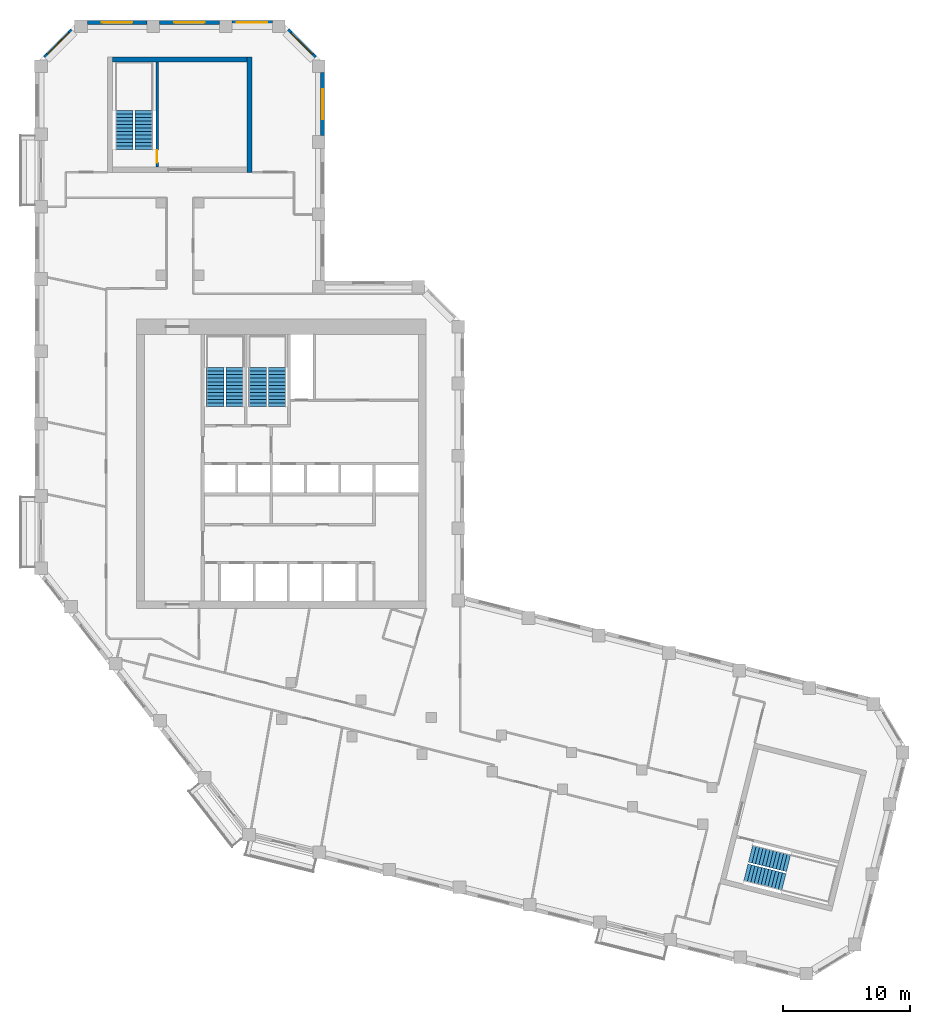
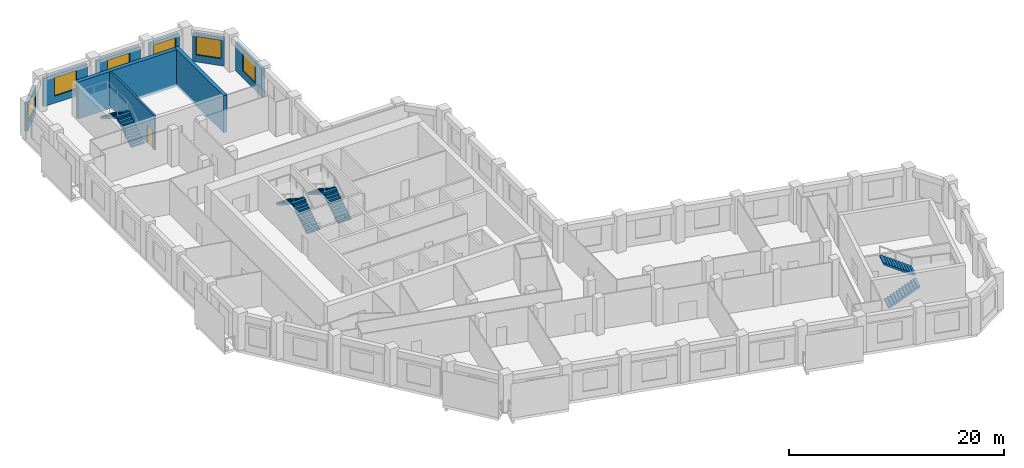
# One storey, part 8 of 9: 9 walls, 8 stair flights, 6 windows, 1 door, 7 openings, 4 elements without a shape of their own.
"""IFC4 building model written with IfcOpenShell, lengths in metres."""

from ifc_helpers import new_model, si_unit, direction, frame, frame_2d, origin, place, context, subcontext, project, spatial, polyline, rectangle, outline, extrude, material, layer, layer_set, type_object, element, fill, aggregate, save


model = new_model("IFC4")

# Units and contexts
model_context = context("Model", 3, precision=1e-05, world=origin(), true_north=direction((0.0, 1.0)))
body_context = subcontext(model_context, "Body", "Model", "MODEL_VIEW")
ifc_project = project(units=[si_unit("LENGTHUNIT", "METRE"), si_unit("AREAUNIT", "SQUARE_METRE"), si_unit("VOLUMEUNIT", "CUBIC_METRE"), si_unit("PLANEANGLEUNIT", "RADIAN"), si_unit("MASSUNIT", "GRAM", prefix="KILO")], contexts=[model_context])

# Site, building, storey
site_placement = place(None, origin())
site = spatial("IfcSite", under=ifc_project, at=site_placement, CompositionType="ELEMENT")
building_placement = place(site_placement, origin())
building = spatial("IfcBuilding", under=site, at=building_placement, Name="Meshkara Civic Tower", CompositionType="ELEMENT")
storey_placement = place(building_placement, frame((0.0, 0.0, 298.199951171875)))
storey = spatial("IfcBuildingStorey", under=building, at=storey_placement, Name="L68", CompositionType="ELEMENT", Elevation=298.199951171875)

# Wall, opening, window
ifc_material_1 = material(Name="Insulated infill panel with bronze anodised aluminium cladding", Category="aluminium")
ifc_layer_1 = layer(ifc_material_1, 0.300048828125)
ifc_layer_set_1 = layer_set([ifc_layer_1], Name="EXTERNAL INFILL WALL 300")
wall_type_1 = type_object("IfcWallType", Name="EXTERNAL INFILL WALL 300", PredefinedType="SOLIDWALL", material=ifc_layer_set_1)
wall_1_placement = place(storey_placement, frame((22.64990234375, 51.35009765625, 0.0), z_axis=(0.0, 0.0, 1.0), x_axis=(0.0, 1.0, 0.0)))
wall_1 = element("IfcWall", 1, at=wall_1_placement, inside=storey, type_object=wall_type_1, Name="External wall", PredefinedType="SOLIDWALL", context=body_context, shape_type="SweptSolid", body=[
    extrude(rectangle(XDim=4.9638671875, YDim=0.300048828125, at=frame_2d((2.48193359375, 0.0))), origin(), (0.0, 0.0, 1.0), 3.199951171875),
])
opening_1_placement = place(wall_1_placement, frame((1.281982421875, 0.0, 0.800048828125)))
opening_1 = element("IfcOpeningElement", 2, at=opening_1_placement, cuts=wall_1, Name="Opening W7", PredefinedType="OPENING", context=body_context, shape_type="SweptSolid", body=[
    extrude(rectangle(XDim=2.39990234375, YDim=2.10009765625, at=frame_2d((1.199951171875, 1.050048828125))), frame((0.0, 0.159912109375, 0.0), z_axis=(0.0, -1.0, 0.0), x_axis=(1.0, 0.0, 0.0)), (0.0, 0.0, 1.0), 0.320068359375),
])
ifc_material_2 = material(Name="Tinted double glazing", Category="glass")
window_type = type_object("IfcWindowType", Name="WINDOW 2400x2100", PartitioningType="DOUBLE_PANEL_VERTICAL", PredefinedType="WINDOW", material=ifc_material_2)
window_1_placement = place(opening_1_placement, origin())
window_1 = element("IfcWindow", 3, at=window_1_placement, inside=storey, type_object=window_type, Name="Window", OverallHeight=2.10009765625, OverallWidth=2.39990234375, PartitioningType="DOUBLE_PANEL_VERTICAL", PredefinedType="WINDOW", context=body_context, shape_type="SweptSolid", body=[
    extrude(rectangle(XDim=2.39990234375, YDim=2.10009765625, at=frame_2d((1.199951171875, 1.050048828125))), frame((0.0, 0.030029296875, 0.0), z_axis=(0.0, -1.0, 0.0), x_axis=(1.0, 0.0, 0.0)), (0.0, 0.0, 1.0), 0.06005859375),
])
fill(opening_1, window_1)

wall_2_placement = place(storey_placement, frame((22.06201171875, 57.52587890625, 0.0), z_axis=(0.0, 0.0, 1.0), x_axis=(-0.707106781187, 0.707106781187, 0.0)))
wall_2 = element("IfcWall", 4, at=wall_2_placement, inside=storey, type_object=wall_type_1, Name="External wall", PredefinedType="SOLIDWALL", context=body_context, shape_type="SweptSolid", body=[
    extrude(rectangle(XDim=3.049072265625, YDim=0.300048828125, at=frame_2d((1.5244140625, 0.0))), origin(), (0.0, 0.0, 1.0), 3.199951171875),
])
opening_2_placement = place(wall_2_placement, frame((0.324951171875, 0.0, 0.800048828125)))
opening_2 = element("IfcOpeningElement", 5, at=opening_2_placement, cuts=wall_2, Name="Opening W7", PredefinedType="OPENING", context=body_context, shape_type="SweptSolid", body=[
    extrude(rectangle(XDim=2.39990234375, YDim=2.10009765625, at=frame_2d((1.199951171875, 1.050048828125))), frame((0.0, 0.159912109375, 0.0), z_axis=(0.0, -1.0, 0.0), x_axis=(1.0, 0.0, 0.0)), (0.0, 0.0, 1.0), 0.320068359375),
])
window_2_placement = place(opening_2_placement, origin())
window_2 = element("IfcWindow", 6, at=window_2_placement, inside=storey, type_object=window_type, Name="Window", OverallHeight=2.10009765625, OverallWidth=2.39990234375, PartitioningType="DOUBLE_PANEL_VERTICAL", PredefinedType="WINDOW", context=body_context, shape_type="SweptSolid", body=[
    extrude(rectangle(XDim=2.39990234375, YDim=2.10009765625, at=frame_2d((1.199951171875, 1.050048828125))), frame((0.0, 0.030029296875, 0.0), z_axis=(0.0, -1.0, 0.0), x_axis=(1.0, 0.0, 0.0)), (0.0, 0.0, 1.0), 0.06005859375),
])
fill(opening_2, window_2)

wall_3_placement = place(storey_placement, frame((18.694091796875, 60.27001953125, 0.0), z_axis=(0.0, 0.0, 1.0), x_axis=(-1.0, 0.0, 0.0)))
wall_3 = element("IfcWall", 7, at=wall_3_placement, inside=storey, type_object=wall_type_1, Name="External wall", PredefinedType="SOLIDWALL", context=body_context, shape_type="SweptSolid", body=[
    extrude(rectangle(XDim=3.18798828125, YDim=0.300048828125, at=frame_2d((1.593994140625, 0.0))), origin(), (0.0, 0.0, 1.0), 3.199951171875),
])
opening_3_placement = place(wall_3_placement, frame((0.39404296875, 0.0, 0.800048828125)))
opening_3 = element("IfcOpeningElement", 8, at=opening_3_placement, cuts=wall_3, Name="Opening W7", PredefinedType="OPENING", context=body_context, shape_type="SweptSolid", body=[
    extrude(rectangle(XDim=2.39990234375, YDim=2.10009765625, at=frame_2d((1.199951171875, 1.050048828125))), frame((0.0, 0.159912109375, 0.0), z_axis=(0.0, -1.0, 0.0), x_axis=(1.0, 0.0, 0.0)), (0.0, 0.0, 1.0), 0.320068359375),
])
window_3_placement = place(opening_3_placement, origin())
window_3 = element("IfcWindow", 9, at=window_3_placement, inside=storey, type_object=window_type, Name="Window", OverallHeight=2.10009765625, OverallWidth=2.39990234375, PartitioningType="DOUBLE_PANEL_VERTICAL", PredefinedType="WINDOW", context=body_context, shape_type="SweptSolid", body=[
    extrude(rectangle(XDim=2.39990234375, YDim=2.10009765625, at=frame_2d((1.199951171875, 1.050048828125))), frame((0.0, 0.030029296875, 0.0), z_axis=(0.0, -1.0, 0.0), x_axis=(1.0, 0.0, 0.0)), (0.0, 0.0, 1.0), 0.06005859375),
])
fill(opening_3, window_3)

wall_4_placement = place(storey_placement, frame((14.506103515625, 60.27001953125, 0.0), z_axis=(0.0, 0.0, 1.0), x_axis=(-1.0, 0.0, 0.0)))
wall_4 = element("IfcWall", 10, at=wall_4_placement, inside=storey, type_object=wall_type_1, Name="External wall", PredefinedType="SOLIDWALL", context=body_context, shape_type="SweptSolid", body=[
    extrude(rectangle(XDim=4.7001953125, YDim=0.300048828125, at=frame_2d((2.35009765625, 0.0))), origin(), (0.0, 0.0, 1.0), 3.199951171875),
])
opening_4_placement = place(wall_4_placement, frame((1.14990234375, 0.0, 0.800048828125)))
opening_4 = element("IfcOpeningElement", 11, at=opening_4_placement, cuts=wall_4, Name="Opening W7", PredefinedType="OPENING", context=body_context, shape_type="SweptSolid", body=[
    extrude(rectangle(XDim=2.39990234375, YDim=2.10009765625, at=frame_2d((1.199951171875, 1.050048828125))), frame((0.0, 0.159912109375, 0.0), z_axis=(0.0, -1.0, 0.0), x_axis=(1.0, 0.0, 0.0)), (0.0, 0.0, 1.0), 0.320068359375),
])
window_4_placement = place(opening_4_placement, origin())
window_4 = element("IfcWindow", 12, at=window_4_placement, inside=storey, type_object=window_type, Name="Window", OverallHeight=2.10009765625, OverallWidth=2.39990234375, PartitioningType="DOUBLE_PANEL_VERTICAL", PredefinedType="WINDOW", context=body_context, shape_type="SweptSolid", body=[
    extrude(rectangle(XDim=2.39990234375, YDim=2.10009765625, at=frame_2d((1.199951171875, 1.050048828125))), frame((0.0, 0.030029296875, 0.0), z_axis=(0.0, -1.0, 0.0), x_axis=(1.0, 0.0, 0.0)), (0.0, 0.0, 1.0), 0.06005859375),
])
fill(opening_4, window_4)

wall_5_placement = place(storey_placement, frame((8.805908203125, 60.27001953125, 0.0), z_axis=(0.0, 0.0, 1.0), x_axis=(-1.0, 0.0, 0.0)))
wall_5 = element("IfcWall", 13, at=wall_5_placement, inside=storey, type_object=wall_type_1, Name="External wall", PredefinedType="SOLIDWALL", context=body_context, shape_type="SweptSolid", body=[
    extrude(rectangle(XDim=4.699951171875, YDim=0.300048828125, at=frame_2d((2.35009765625, 0.0))), origin(), (0.0, 0.0, 1.0), 3.199951171875),
])
opening_5_placement = place(wall_5_placement, frame((1.14990234375, 0.0, 0.800048828125)))
opening_5 = element("IfcOpeningElement", 14, at=opening_5_placement, cuts=wall_5, Name="Opening W7", PredefinedType="OPENING", context=body_context, shape_type="SweptSolid", body=[
    extrude(rectangle(XDim=2.39990234375, YDim=2.10009765625, at=frame_2d((1.199951171875, 1.050048828125))), frame((0.0, 0.159912109375, 0.0), z_axis=(0.0, -1.0, 0.0), x_axis=(1.0, 0.0, 0.0)), (0.0, 0.0, 1.0), 0.320068359375),
])
window_5_placement = place(opening_5_placement, origin())
window_5 = element("IfcWindow", 15, at=window_5_placement, inside=storey, type_object=window_type, Name="Window", OverallHeight=2.10009765625, OverallWidth=2.39990234375, PartitioningType="DOUBLE_PANEL_VERTICAL", PredefinedType="WINDOW", context=body_context, shape_type="SweptSolid", body=[
    extrude(rectangle(XDim=2.39990234375, YDim=2.10009765625, at=frame_2d((1.199951171875, 1.050048828125))), frame((0.0, 0.030029296875, 0.0), z_axis=(0.0, -1.0, 0.0), x_axis=(1.0, 0.0, 0.0)), (0.0, 0.0, 1.0), 0.06005859375),
])
fill(opening_5, window_5)

wall_6_placement = place(storey_placement, frame((2.89404296875, 59.681884765625, 0.0), z_axis=(0.0, 0.0, 1.0), x_axis=(-0.707106781187, -0.707106781187, 0.0)))
wall_6 = element("IfcWall", 16, at=wall_6_placement, inside=storey, type_object=wall_type_1, Name="External wall", PredefinedType="SOLIDWALL", context=body_context, shape_type="SweptSolid", body=[
    extrude(rectangle(XDim=3.049072265625, YDim=0.300048828125, at=frame_2d((1.5244140625, 0.0))), origin(), (0.0, 0.0, 1.0), 3.199951171875),
])
opening_6_placement = place(wall_6_placement, frame((0.324951171875, 0.0, 0.800048828125)))
opening_6 = element("IfcOpeningElement", 17, at=opening_6_placement, cuts=wall_6, Name="Opening W7", PredefinedType="OPENING", context=body_context, shape_type="SweptSolid", body=[
    extrude(rectangle(XDim=2.39990234375, YDim=2.10009765625, at=frame_2d((1.199951171875, 1.050048828125))), frame((0.0, 0.159912109375, 0.0), z_axis=(0.0, -1.0, 0.0), x_axis=(1.0, 0.0, 0.0)), (0.0, 0.0, 1.0), 0.320068359375),
])
window_6_placement = place(opening_6_placement, origin())
window_6 = element("IfcWindow", 18, at=window_6_placement, inside=storey, type_object=window_type, Name="Window", OverallHeight=2.10009765625, OverallWidth=2.39990234375, PartitioningType="DOUBLE_PANEL_VERTICAL", PredefinedType="WINDOW", context=body_context, shape_type="SweptSolid", body=[
    extrude(rectangle(XDim=2.39990234375, YDim=2.10009765625, at=frame_2d((1.199951171875, 1.050048828125))), frame((0.0, 0.030029296875, 0.0), z_axis=(0.0, -1.0, 0.0), x_axis=(1.0, 0.0, 0.0)), (0.0, 0.0, 1.0), 0.06005859375),
])
fill(opening_6, window_6)

# Walls
ifc_material_3 = material(Name="Concrete C60", Category="concrete")
ifc_layer_2 = layer(ifc_material_3, 0.39990234375)
ifc_layer_set_2 = layer_set([ifc_layer_2], Name="End core ring wall 400 C60")
wall_type_2 = type_object("IfcWallType", Name="End core ring wall 400 C60", PredefinedType="SHEAR", material=ifc_layer_set_2)
wall_7_placement = place(storey_placement, frame((16.89990234375, 48.469970703125, -0.300048828125), z_axis=(0.0, 0.0, 1.0), x_axis=(0.0, 1.0, 0.0)))
element("IfcWall", 19, at=wall_7_placement, inside=storey, type_object=wall_type_2, Name="L68-C027", PredefinedType="SHEAR", context=body_context, shape_type="SweptSolid", body=[
    extrude(rectangle(XDim=9.10009765625, YDim=0.39990234375, at=frame_2d((4.550048828125, 0.0))), origin(), (0.0, 0.0, 1.0), 4.2001953125),
])
wall_8_placement = place(storey_placement, frame((6.10009765625, 57.3701171875, -0.300048828125), z_axis=(0.0, 0.0, 1.0), x_axis=(1.0, 0.0, 0.0)))
element("IfcWall", 20, at=wall_8_placement, inside=storey, type_object=wall_type_2, Name="L68-C029", PredefinedType="SHEAR", context=body_context, shape_type="SweptSolid", body=[
    extrude(rectangle(XDim=10.599853515625, YDim=0.39990234375, at=frame_2d((5.2998046875, 0.0))), origin(), (0.0, 0.0, 1.0), 4.2001953125),
])

# Wall, opening, door
ifc_material_4 = material(Name="Concrete C40/50", Category="concrete")
ifc_layer_3 = layer(ifc_material_4, 0.199951171875)
ifc_layer_set_3 = layer_set([ifc_layer_3], Name="Stair enclosure wall 200 C40/50")
wall_type_3 = type_object("IfcWallType", Name="Stair enclosure wall 200 C40/50", PredefinedType="SOLIDWALL", material=ifc_layer_set_3)
wall_9_placement = place(storey_placement, frame((9.60009765625, 48.8701171875, 0.0), z_axis=(0.0, 0.0, 1.0), x_axis=(0.0, 1.0, 0.0)))
wall_9 = element("IfcWall", 21, at=wall_9_placement, inside=storey, type_object=wall_type_3, Name="L68-C030", PredefinedType="SOLIDWALL", context=body_context, shape_type="SweptSolid", body=[
    extrude(rectangle(XDim=8.2998046875, YDim=0.199951171875, at=frame_2d((4.14990234375, 0.0))), origin(), (0.0, 0.0, 1.0), 3.900146484375),
])
opening_7_placement = place(wall_9_placement, frame((0.35009765625, 0.0, 0.0)))
opening_7 = element("IfcOpeningElement", 22, at=opening_7_placement, cuts=wall_9, Name="Opening L68-K101", PredefinedType="OPENING", context=body_context, shape_type="SweptSolid", body=[
    extrude(rectangle(XDim=1.0, YDim=2.10009765625, at=frame_2d((0.5, 1.050048828125))), frame((0.0, 0.10986328125, 0.0), z_axis=(0.0, -1.0, 0.0), x_axis=(1.0, 0.0, 0.0)), (0.0, 0.0, 1.0), 0.219970703125),
])
ifc_material_5 = material(Name="Fire-rated door leaf in steel frame", Category="steel")
door_type = type_object("IfcDoorType", Name="Stair door 1000 EI 120", OperationType="SINGLE_SWING_LEFT", PredefinedType="DOOR", material=ifc_material_5)
door_placement = place(opening_7_placement, origin())
door = element("IfcDoor", 23, at=door_placement, inside=storey, type_object=door_type, Name="L68-K101", OperationType="SINGLE_SWING_RIGHT", OverallHeight=2.10009765625, OverallWidth=1.0, PredefinedType="DOOR", context=body_context, shape_type="SweptSolid", body=[
    extrude(rectangle(XDim=1.0, YDim=2.10009765625, at=frame_2d((0.5, 1.050048828125))), frame((0.0, 0.02490234375, 0.0), z_axis=(0.0, -1.0, 0.0), x_axis=(1.0, 0.0, 0.0)), (0.0, 0.0, 1.0), 0.050048828125),
])
fill(opening_7, door)

# Stair, stair flights
ifc_material_6 = material(Name="Precast concrete C40/50", Category="concrete")
stair_type = type_object("IfcStairType", Name="Exit stair half-turn 24 risers precast", PredefinedType="HALF_TURN_STAIR", material=ifc_material_6)
stair_1_placement = place(storey_placement, origin())
stair_1 = element("IfcStair", 24, at=stair_1_placement, inside=storey, type_object=stair_type, Name="L68 exit stair 1", PredefinedType="HALF_TURN_STAIR")
ifc_material_7 = material(Name="Precast concrete C40/50", Category="concrete")
stair_flight_type = type_object("IfcStairFlightType", Name="Exit stair flight 12 risers precast", PredefinedType="STRAIGHT", material=ifc_material_7)
stair_flight_1_placement = place(storey_placement, frame((15.72509765625, 30.0, 0.0), z_axis=(0.0, 0.0, 1.0), x_axis=(0.0, 1.0, 0.0)))
stair_flight_1 = element("IfcStairFlight", 25, at=stair_flight_1_placement, type_object=stair_flight_type, Name="ST1 flight 1", NumberOfRisers=12, NumberOfTreads=11, PredefinedType="STRAIGHT", RiserHeight=0.175, TreadLength=0.28, context=body_context, shape_type="SweptSolid", body=[
    extrude(outline(polyline([(0.0, 0.0), (0.0, 0.175048828125), (0.280029296875, 0.175048828125), (0.280029296875, 0.35009765625), (0.56005859375, 0.35009765625), (0.56005859375, 0.52490234375), (0.840087890625, 0.52490234375), (0.840087890625, 0.699951171875), (1.1201171875, 0.699951171875), (1.1201171875, 0.875), (1.39990234375, 0.875), (1.39990234375, 1.050048828125), (1.679931640625, 1.050048828125), (1.679931640625, 1.22509765625), (1.9599609375, 1.22509765625), (1.9599609375, 1.39990234375), (2.239990234375, 1.39990234375), (2.239990234375, 1.574951171875), (2.52001953125, 1.574951171875), (2.52001953125, 1.75), (2.800048828125, 1.75), (2.800048828125, 1.925048828125), (3.080078125, 1.925048828125), (3.080078125, 2.10009765625), (3.080078125, 1.748291015625), (0.28271484375, 0.0), (0.0, 0.0)])), frame((0.0, 0.699951171875, 0.0), z_axis=(0.0, -1.0, 0.0), x_axis=(1.0, 0.0, 0.0)), (0.0, 0.0, 1.0), 1.39990234375),
])
stair_flight_2_placement = place(storey_placement, frame((14.175048828125, 33.080078125, 2.10009765625), z_axis=(0.0, 0.0, 1.0), x_axis=(0.0, -1.0, 0.0)))
stair_flight_2 = element("IfcStairFlight", 26, at=stair_flight_2_placement, type_object=stair_flight_type, Name="ST1 flight 2", NumberOfRisers=12, NumberOfTreads=11, PredefinedType="STRAIGHT", RiserHeight=0.175, TreadLength=0.28, context=body_context, shape_type="SweptSolid", body=[
    extrude(outline(polyline([(0.0, 0.0), (0.0, 0.175048828125), (0.280029296875, 0.175048828125), (0.280029296875, 0.35009765625), (0.56005859375, 0.35009765625), (0.56005859375, 0.52490234375), (0.840087890625, 0.52490234375), (0.840087890625, 0.699951171875), (1.1201171875, 0.699951171875), (1.1201171875, 0.875), (1.39990234375, 0.875), (1.39990234375, 1.050048828125), (1.679931640625, 1.050048828125), (1.679931640625, 1.22509765625), (1.9599609375, 1.22509765625), (1.9599609375, 1.39990234375), (2.239990234375, 1.39990234375), (2.239990234375, 1.574951171875), (2.52001953125, 1.574951171875), (2.52001953125, 1.75), (2.800048828125, 1.75), (2.800048828125, 1.925048828125), (3.080078125, 1.925048828125), (3.080078125, 2.10009765625), (3.080078125, 1.748291015625), (0.28271484375, 0.0), (0.0, 0.0)])), frame((0.0, 0.699951171875, 0.0), z_axis=(0.0, -1.0, 0.0), x_axis=(1.0, 0.0, 0.0)), (0.0, 0.0, 1.0), 1.39990234375),
])
aggregate(stair_1, [stair_flight_1, stair_flight_2])

stair_2_placement = place(storey_placement, origin())
stair_2 = element("IfcStair", 27, at=stair_2_placement, inside=storey, type_object=stair_type, Name="L68 exit stair 2", PredefinedType="HALF_TURN_STAIR")
stair_flight_3_placement = place(storey_placement, frame((19.074951171875, 30.0, 0.0), z_axis=(0.0, 0.0, 1.0), x_axis=(0.0, 1.0, 0.0)))
stair_flight_3 = element("IfcStairFlight", 28, at=stair_flight_3_placement, type_object=stair_flight_type, Name="ST2 flight 1", NumberOfRisers=12, NumberOfTreads=11, PredefinedType="STRAIGHT", RiserHeight=0.175, TreadLength=0.28, context=body_context, shape_type="SweptSolid", body=[
    extrude(outline(polyline([(0.0, 0.0), (0.0, 0.175048828125), (0.280029296875, 0.175048828125), (0.280029296875, 0.35009765625), (0.56005859375, 0.35009765625), (0.56005859375, 0.52490234375), (0.840087890625, 0.52490234375), (0.840087890625, 0.699951171875), (1.1201171875, 0.699951171875), (1.1201171875, 0.875), (1.39990234375, 0.875), (1.39990234375, 1.050048828125), (1.679931640625, 1.050048828125), (1.679931640625, 1.22509765625), (1.9599609375, 1.22509765625), (1.9599609375, 1.39990234375), (2.239990234375, 1.39990234375), (2.239990234375, 1.574951171875), (2.52001953125, 1.574951171875), (2.52001953125, 1.75), (2.800048828125, 1.75), (2.800048828125, 1.925048828125), (3.080078125, 1.925048828125), (3.080078125, 2.10009765625), (3.080078125, 1.748291015625), (0.28271484375, 0.0), (0.0, 0.0)])), frame((0.0, 0.699951171875, 0.0), z_axis=(0.0, -1.0, 0.0), x_axis=(1.0, 0.0, 0.0)), (0.0, 0.0, 1.0), 1.39990234375),
])
stair_flight_4_placement = place(storey_placement, frame((17.52490234375, 33.080078125, 2.10009765625), z_axis=(0.0, 0.0, 1.0), x_axis=(0.0, -1.0, 0.0)))
stair_flight_4 = element("IfcStairFlight", 29, at=stair_flight_4_placement, type_object=stair_flight_type, Name="ST2 flight 2", NumberOfRisers=12, NumberOfTreads=11, PredefinedType="STRAIGHT", RiserHeight=0.175, TreadLength=0.28, context=body_context, shape_type="SweptSolid", body=[
    extrude(outline(polyline([(0.0, 0.0), (0.0, 0.175048828125), (0.280029296875, 0.175048828125), (0.280029296875, 0.35009765625), (0.56005859375, 0.35009765625), (0.56005859375, 0.52490234375), (0.840087890625, 0.52490234375), (0.840087890625, 0.699951171875), (1.1201171875, 0.699951171875), (1.1201171875, 0.875), (1.39990234375, 0.875), (1.39990234375, 1.050048828125), (1.679931640625, 1.050048828125), (1.679931640625, 1.22509765625), (1.9599609375, 1.22509765625), (1.9599609375, 1.39990234375), (2.239990234375, 1.39990234375), (2.239990234375, 1.574951171875), (2.52001953125, 1.574951171875), (2.52001953125, 1.75), (2.800048828125, 1.75), (2.800048828125, 1.925048828125), (3.080078125, 1.925048828125), (3.080078125, 2.10009765625), (3.080078125, 1.748291015625), (0.28271484375, 0.0), (0.0, 0.0)])), frame((0.0, 0.699951171875, 0.0), z_axis=(0.0, -1.0, 0.0), x_axis=(1.0, 0.0, 0.0)), (0.0, 0.0, 1.0), 1.39990234375),
])
aggregate(stair_2, [stair_flight_3, stair_flight_4])

stair_3_placement = place(storey_placement, origin())
stair_3 = element("IfcStair", 30, at=stair_3_placement, inside=storey, type_object=stair_type, Name="L68 exit stair A from L65", PredefinedType="HALF_TURN_STAIR")
stair_flight_5_placement = place(storey_placement, frame((8.574951171875, 50.27001953125, 0.0), z_axis=(0.0, 0.0, 1.0), x_axis=(0.0, 1.0, 0.0)))
stair_flight_5 = element("IfcStairFlight", 31, at=stair_flight_5_placement, type_object=stair_flight_type, Name="ESA5 flight 1", NumberOfRisers=12, NumberOfTreads=11, PredefinedType="STRAIGHT", RiserHeight=0.175, TreadLength=0.28, context=body_context, shape_type="SweptSolid", body=[
    extrude(outline(polyline([(0.0, 0.0), (0.0, 0.175048828125), (0.280029296875, 0.175048828125), (0.280029296875, 0.35009765625), (0.56005859375, 0.35009765625), (0.56005859375, 0.52490234375), (0.840087890625, 0.52490234375), (0.840087890625, 0.699951171875), (1.1201171875, 0.699951171875), (1.1201171875, 0.875), (1.39990234375, 0.875), (1.39990234375, 1.050048828125), (1.679931640625, 1.050048828125), (1.679931640625, 1.22509765625), (1.9599609375, 1.22509765625), (1.9599609375, 1.39990234375), (2.239990234375, 1.39990234375), (2.239990234375, 1.574951171875), (2.52001953125, 1.574951171875), (2.52001953125, 1.75), (2.800048828125, 1.75), (2.800048828125, 1.925048828125), (3.080078125, 1.925048828125), (3.080078125, 2.10009765625), (3.080078125, 1.748291015625), (0.28271484375, 0.0), (0.0, 0.0)])), frame((0.0, 0.699951171875, 0.0), z_axis=(0.0, -1.0, 0.0), x_axis=(1.0, 0.0, 0.0)), (0.0, 0.0, 1.0), 1.39990234375),
])
stair_flight_6_placement = place(storey_placement, frame((7.02490234375, 53.35009765625, 2.10009765625), z_axis=(0.0, 0.0, 1.0), x_axis=(0.0, -1.0, 0.0)))
stair_flight_6 = element("IfcStairFlight", 32, at=stair_flight_6_placement, type_object=stair_flight_type, Name="ESA5 flight 2", NumberOfRisers=12, NumberOfTreads=11, PredefinedType="STRAIGHT", RiserHeight=0.175, TreadLength=0.28, context=body_context, shape_type="SweptSolid", body=[
    extrude(outline(polyline([(0.0, 0.0), (0.0, 0.175048828125), (0.280029296875, 0.175048828125), (0.280029296875, 0.35009765625), (0.56005859375, 0.35009765625), (0.56005859375, 0.52490234375), (0.840087890625, 0.52490234375), (0.840087890625, 0.699951171875), (1.1201171875, 0.699951171875), (1.1201171875, 0.875), (1.39990234375, 0.875), (1.39990234375, 1.050048828125), (1.679931640625, 1.050048828125), (1.679931640625, 1.22509765625), (1.9599609375, 1.22509765625), (1.9599609375, 1.39990234375), (2.239990234375, 1.39990234375), (2.239990234375, 1.574951171875), (2.52001953125, 1.574951171875), (2.52001953125, 1.75), (2.800048828125, 1.75), (2.800048828125, 1.925048828125), (3.080078125, 1.925048828125), (3.080078125, 2.10009765625), (3.080078125, 1.748291015625), (0.28271484375, 0.0), (0.0, 0.0)])), frame((0.0, 0.699951171875, 0.0), z_axis=(0.0, -1.0, 0.0), x_axis=(1.0, 0.0, 0.0)), (0.0, 0.0, 1.0), 1.39990234375),
])
aggregate(stair_3, [stair_flight_5, stair_flight_6])

stair_4_placement = place(storey_placement, origin())
stair_4 = element("IfcStair", 33, at=stair_4_placement, inside=storey, type_object=stair_type, Name="L68 exit stair B from L65", PredefinedType="HALF_TURN_STAIR")
stair_flight_7_placement = place(storey_placement, frame((56.0068359375, -6.723876953125, 0.0), z_axis=(0.0, 0.0, 1.0), x_axis=(0.970260066579, -0.242064873955, 0.0)))
stair_flight_7 = element("IfcStairFlight", 34, at=stair_flight_7_placement, type_object=stair_flight_type, Name="ESB5 flight 1", NumberOfRisers=12, NumberOfTreads=11, PredefinedType="STRAIGHT", RiserHeight=0.175, TreadLength=0.28, context=body_context, shape_type="SweptSolid", body=[
    extrude(outline(polyline([(0.0, 0.0), (0.0, 0.175048828125), (0.280029296875, 0.175048828125), (0.280029296875, 0.35009765625), (0.56005859375, 0.35009765625), (0.56005859375, 0.52490234375), (0.840087890625, 0.52490234375), (0.840087890625, 0.699951171875), (1.1201171875, 0.699951171875), (1.1201171875, 0.875), (1.39990234375, 0.875), (1.39990234375, 1.050048828125), (1.679931640625, 1.050048828125), (1.679931640625, 1.22509765625), (1.9599609375, 1.22509765625), (1.9599609375, 1.39990234375), (2.239990234375, 1.39990234375), (2.239990234375, 1.574951171875), (2.52001953125, 1.574951171875), (2.52001953125, 1.75), (2.800048828125, 1.75), (2.800048828125, 1.925048828125), (3.080078125, 1.925048828125), (3.080078125, 2.10009765625), (3.080078125, 1.748291015625), (0.28271484375, 0.0), (0.0, 0.0)])), frame((0.0, 0.699951171875, 0.0), z_axis=(0.0, -1.0, 0.0), x_axis=(1.0, 0.0, 0.0)), (0.0, 0.0, 1.0), 1.39990234375),
])
stair_flight_8_placement = place(storey_placement, frame((59.370361328125, -5.965576171875, 2.10009765625), z_axis=(0.0, 0.0, 1.0), x_axis=(-0.970260066579, 0.242064873955, 0.0)))
stair_flight_8 = element("IfcStairFlight", 35, at=stair_flight_8_placement, type_object=stair_flight_type, Name="ESB5 flight 2", NumberOfRisers=12, NumberOfTreads=11, PredefinedType="STRAIGHT", RiserHeight=0.175, TreadLength=0.28, context=body_context, shape_type="SweptSolid", body=[
    extrude(outline(polyline([(0.0, 0.0), (0.0, 0.175048828125), (0.280029296875, 0.175048828125), (0.280029296875, 0.35009765625), (0.56005859375, 0.35009765625), (0.56005859375, 0.52490234375), (0.840087890625, 0.52490234375), (0.840087890625, 0.699951171875), (1.1201171875, 0.699951171875), (1.1201171875, 0.875), (1.39990234375, 0.875), (1.39990234375, 1.050048828125), (1.679931640625, 1.050048828125), (1.679931640625, 1.22509765625), (1.9599609375, 1.22509765625), (1.9599609375, 1.39990234375), (2.239990234375, 1.39990234375), (2.239990234375, 1.574951171875), (2.52001953125, 1.574951171875), (2.52001953125, 1.75), (2.800048828125, 1.75), (2.800048828125, 1.925048828125), (3.080078125, 1.925048828125), (3.080078125, 2.10009765625), (3.080078125, 1.748291015625), (0.28271484375, 0.0), (0.0, 0.0)])), frame((0.0, 0.699951171875, 0.0), z_axis=(0.0, -1.0, 0.0), x_axis=(1.0, 0.0, 0.0)), (0.0, 0.0, 1.0), 1.39990234375),
])
aggregate(stair_4, [stair_flight_7, stair_flight_8])

save(model, "model.ifc")
